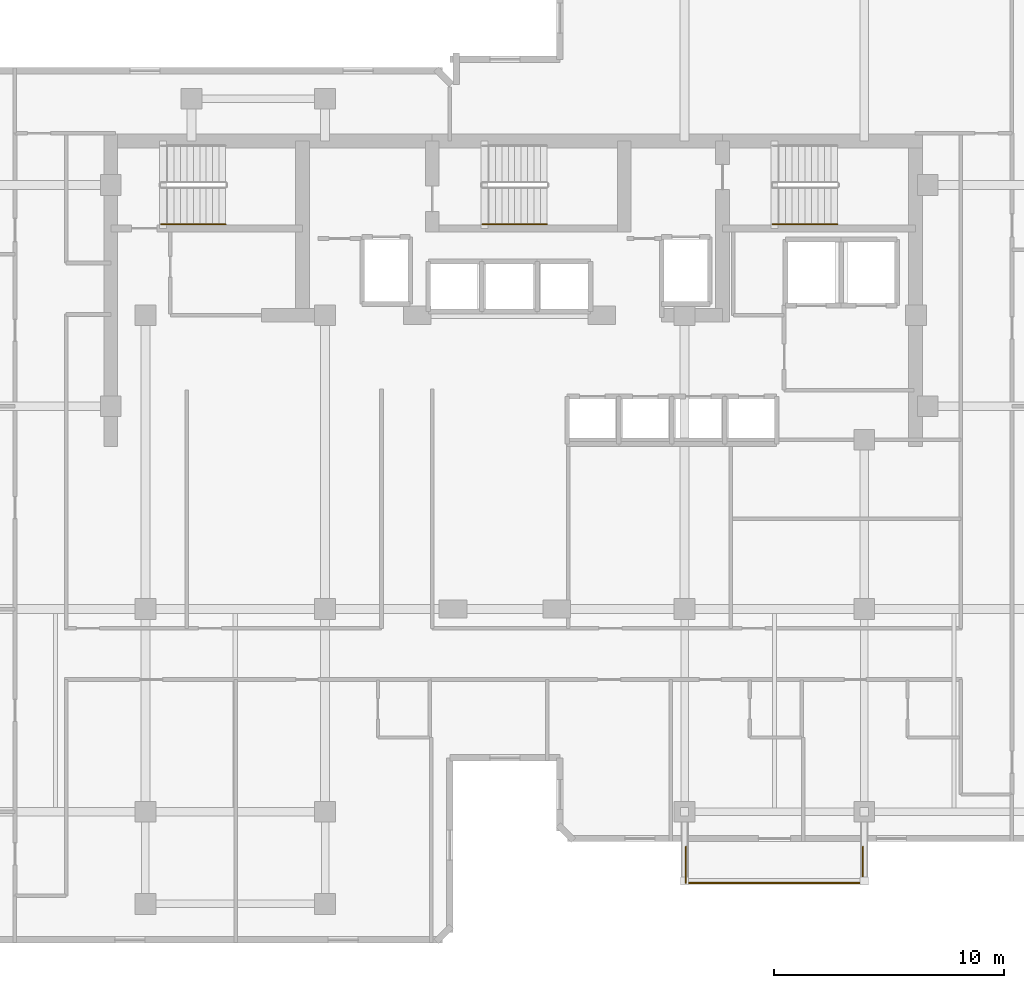
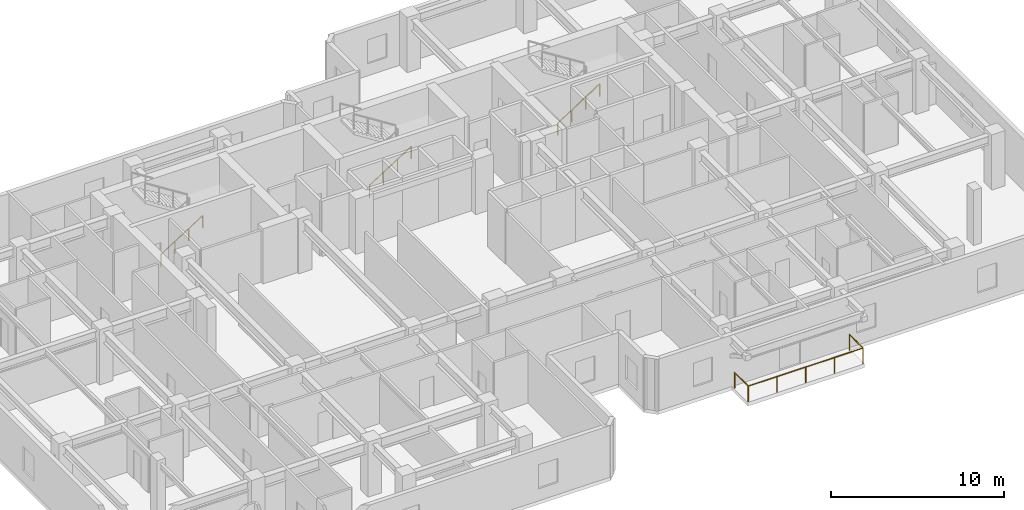
# One storey, part 10 of 11: 5 railings.
"""IFC4 building model written with IfcOpenShell, lengths in metres."""

from ifc_helpers import new_model, si_unit, direction, frame, origin, origin_2d, place, context, subcontext, project, spatial, circle, extrude, material, type_object, element, save


model = new_model("IFC4")

# Units and contexts
model_context = context("Model", 3, precision=1e-05, world=origin(), true_north=direction((0.0, 1.0)))
body_context = subcontext(model_context, "Body", "Model", "MODEL_VIEW")
ifc_project = project(units=[si_unit("LENGTHUNIT", "METRE"), si_unit("AREAUNIT", "SQUARE_METRE"), si_unit("VOLUMEUNIT", "CUBIC_METRE"), si_unit("PLANEANGLEUNIT", "RADIAN"), si_unit("MASSUNIT", "GRAM", prefix="KILO")], contexts=[model_context])

# Site, building, storey
site_placement = place(None, origin())
site = spatial("IfcSite", under=ifc_project, at=site_placement, CompositionType="ELEMENT")
building_placement = place(site_placement, origin())
building = spatial("IfcBuilding", under=site, at=building_placement, Name="Kestravale Grand Hotel", CompositionType="ELEMENT")
storey_placement = place(building_placement, frame((0.0, 0.0, 192.89990234375)))
storey = spatial("IfcBuildingStorey", under=building, at=storey_placement, Name="L48", CompositionType="ELEMENT", Elevation=192.89990234375)

# Railings
ifc_material_1 = material(Name="Champagne-bronze stainless steel and laminated glass guard", Category="steel")
railing_type_1 = type_object("IfcRailingType", Name="RL-EXT-1100", PredefinedType="GUARDRAIL", material=ifc_material_1)
railing_1_placement = place(storey_placement, frame((46.860107421875, 8.110107421875, 0.0)))
element("IfcRailing", 1, at=railing_1_placement, inside=storey, type_object=railing_type_1, Name="L48 outdoor terrace guard 1", PredefinedType="GUARDRAIL", context=body_context, shape_type="SweptSolid", body=[
    extrude(circle(Radius=0.02392578125, at=origin_2d()), frame((0.0, 0.0, 1.09619140625), z_axis=(0.0, 1.0, 0.0), x_axis=(-1.0, 0.0, 0.0)), (0.0, 0.0, 1.0), 1.56982421875),
    extrude(circle(Radius=0.02099609375, at=origin_2d()), origin(), (0.0, 0.0, 1.0), 1.072021484375),
    extrude(circle(Radius=0.02099609375, at=origin_2d()), frame((0.0, 1.56982421875, 0.0)), (0.0, 0.0, 1.0), 1.072021484375),
])
railing_2_placement = place(storey_placement, frame((54.5400390625, 9.679931640625, 0.0)))
element("IfcRailing", 2, at=railing_2_placement, inside=storey, type_object=railing_type_1, Name="L48 outdoor terrace guard 2", PredefinedType="GUARDRAIL", context=body_context, shape_type="SweptSolid", body=[
    extrude(circle(Radius=0.02392578125, at=origin_2d()), frame((0.0, 0.0, 1.09619140625), z_axis=(0.0, -1.0, 0.0), x_axis=(1.0, 0.0, 0.0)), (0.0, 0.0, 1.0), 1.56982421875),
    extrude(circle(Radius=0.02392578125, at=origin_2d()), frame((0.0, -1.56982421875, 1.09619140625), z_axis=(-1.0, 0.0, 0.0), x_axis=(0.0, -1.0, 0.0)), (0.0, 0.0, 1.0), 7.679931640625),
    extrude(circle(Radius=0.02099609375, at=origin_2d()), origin(), (0.0, 0.0, 1.0), 1.072021484375),
    extrude(circle(Radius=0.02099609375, at=origin_2d()), frame((0.0, -1.56982421875, 0.0)), (0.0, 0.0, 1.0), 1.072021484375),
    extrude(circle(Radius=0.02099609375, at=origin_2d()), frame((-1.919921875, -1.56982421875, 0.0)), (0.0, 0.0, 1.0), 1.072021484375),
    extrude(circle(Radius=0.02099609375, at=origin_2d()), frame((-3.83984375, -1.56982421875, 0.0)), (0.0, 0.0, 1.0), 1.072021484375),
    extrude(circle(Radius=0.02099609375, at=origin_2d()), frame((-5.760009765625, -1.56982421875, 0.0)), (0.0, 0.0, 1.0), 1.072021484375),
    extrude(circle(Radius=0.02099609375, at=origin_2d()), frame((-7.679931640625, -1.56982421875, 0.0)), (0.0, 0.0, 1.0), 1.072021484375),
])
ifc_material_2 = material(Name="Brushed stainless steel wall handrail", Category="steel")
railing_type_2 = type_object("IfcRailingType", Name="RL-ST-HND900", PredefinedType="HANDRAIL", material=ifc_material_2)
railing_3_placement = place(storey_placement, frame((24.080078125, 36.699951171875, 0.177490234375)))
element("IfcRailing", 3, at=railing_3_placement, inside=storey, type_object=railing_type_2, Name="L48 ST-1 stair handrail 1", PredefinedType="HANDRAIL", context=body_context, shape_type="SweptSolid", body=[
    extrude(circle(Radius=0.02392578125, at=origin_2d()), frame((0.0, 0.0, 0.8759765625), z_axis=(0.844887892834, 0.0, 0.53494340686), x_axis=(0.0, 1.0, 0.0)), (0.0, 0.0, 1.0), 3.313720703125),
    extrude(circle(Radius=0.02099609375, at=origin_2d()), origin(), (0.0, 0.0, 1.0), 0.851806640625),
    extrude(circle(Radius=0.02099609375, at=origin_2d()), frame((0.933349609375, 0.0, 0.5908203125)), (0.0, 0.0, 1.0), 0.851806640625),
    extrude(circle(Radius=0.02099609375, at=origin_2d()), frame((1.866455078125, 0.0, 1.181884765625)), (0.0, 0.0, 1.0), 0.851806640625),
    extrude(circle(Radius=0.02099609375, at=origin_2d()), frame((2.7998046875, 0.0, 1.772705078125)), (0.0, 0.0, 1.0), 0.851806640625),
])
for number, where, name in (
    (4, (38.030029296875, 36.699951171875, 0.177490234375), "L48 ST-2 stair handrail 1"),
    (5, (50.6298828125, 36.699951171875, 0.177490234375), "L48 ST-3 stair handrail 1"),
):
    element("IfcRailing", number, at=place(storey_placement, frame(where)), inside=storey, type_object=railing_type_2, Name=name, PredefinedType="HANDRAIL", context=body_context, shape_type="SweptSolid", body=[
        extrude(circle(Radius=0.02392578125, at=origin_2d()), frame((0.0, 0.0, 0.8759765625), z_axis=(0.844908973607, 0.0, 0.534910110503), x_axis=(0.0, 1.0, 0.0)), (0.0, 0.0, 1.0), 3.31396484375),
        extrude(circle(Radius=0.02099609375, at=origin_2d()), origin(), (0.0, 0.0, 1.0), 0.851806640625),
        extrude(circle(Radius=0.02099609375, at=origin_2d()), frame((0.933349609375, 0.0, 0.5908203125)), (0.0, 0.0, 1.0), 0.851806640625),
        extrude(circle(Radius=0.02099609375, at=origin_2d()), frame((1.86669921875, 0.0, 1.181884765625)), (0.0, 0.0, 1.0), 0.851806640625),
        extrude(circle(Radius=0.02099609375, at=origin_2d()), frame((2.800048828125, 0.0, 1.772705078125)), (0.0, 0.0, 1.0), 0.851806640625),
    ])

save(model, "model.ifc")
